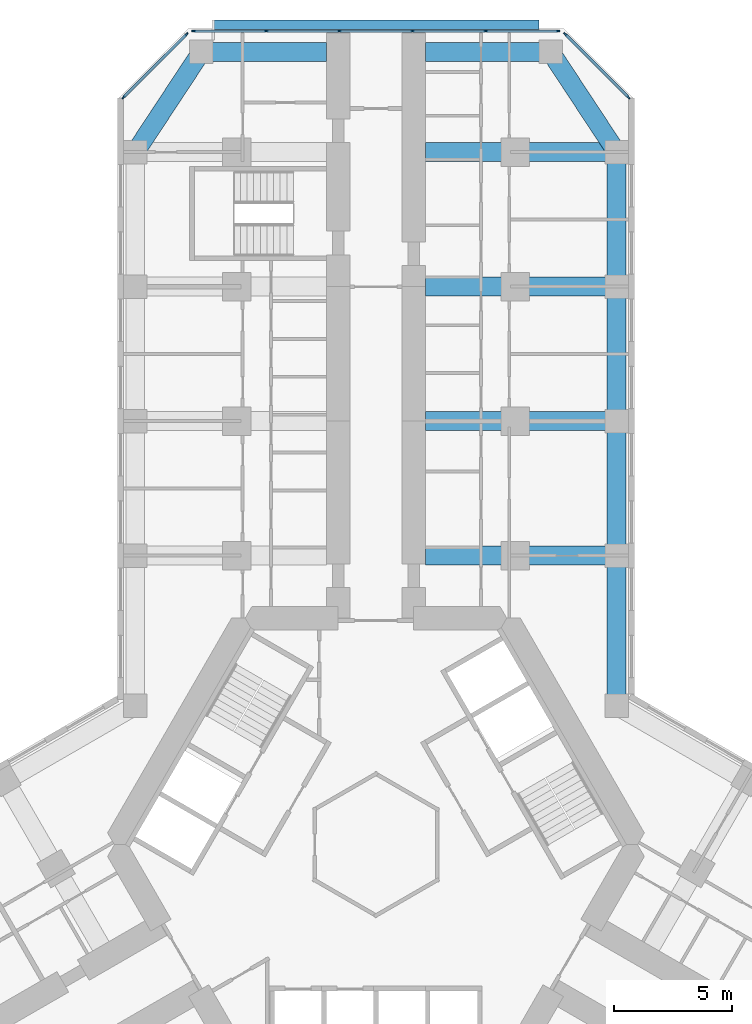
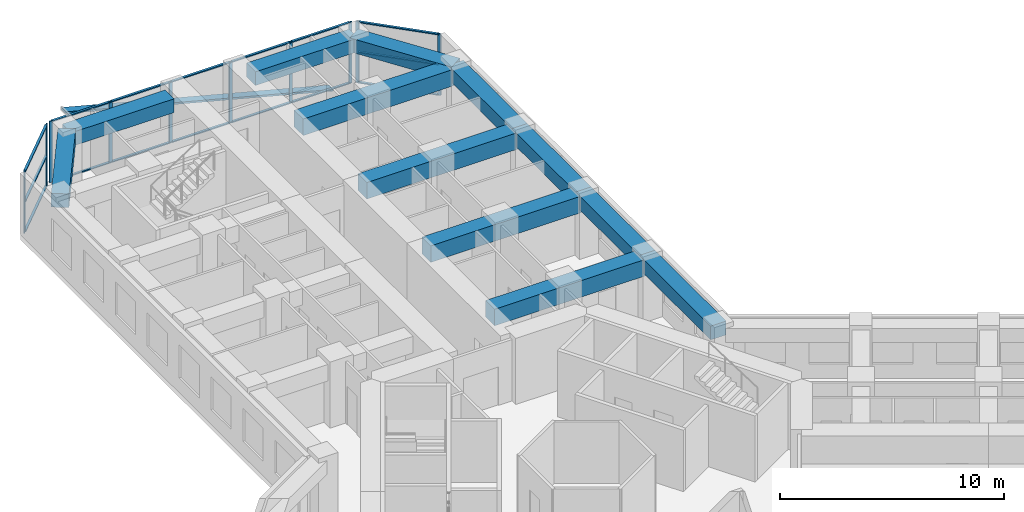
# One storey, part 7 of 21: 27 members, 12 beams, 3 elements without a shape of their own.
"""IFC4 building model written with IfcOpenShell, lengths in metres."""

from ifc_helpers import new_model, si_unit, direction, frame, origin, origin_2d, place, context, subcontext, project, spatial, rectangle, extrude, material, material_profile, profile_set, type_object, element, aggregate, save


model = new_model("IFC4")

# Units and contexts
model_context = context("Model", 3, precision=1e-05, world=origin(), true_north=direction((0.0, 1.0)))
body_context = subcontext(model_context, "Body", "Model", "MODEL_VIEW")
ifc_project = project(units=[si_unit("LENGTHUNIT", "METRE"), si_unit("AREAUNIT", "SQUARE_METRE"), si_unit("VOLUMEUNIT", "CUBIC_METRE"), si_unit("PLANEANGLEUNIT", "RADIAN"), si_unit("MASSUNIT", "GRAM", prefix="KILO")], contexts=[model_context])

# Site, building, storey
site_placement = place(None, origin())
site = spatial("IfcSite", under=ifc_project, at=site_placement, CompositionType="ELEMENT")
building_placement = place(site_placement, origin())
building = spatial("IfcBuilding", under=site, at=building_placement, Name="Kosmar Iwan School Tower", CompositionType="ELEMENT")
storey_placement = place(building_placement, frame((0.0, 0.0, 46.60009765625)))
storey = spatial("IfcBuildingStorey", under=building, at=storey_placement, Name="L10", CompositionType="ELEMENT", Elevation=46.60009765625)

# Member
ifc_material_1 = material(Name="Black anodised aluminium", Category="aluminium")
ifc_material_profile_1 = material_profile(ifc_material_1, rectangle(XDim=0.10009765625, YDim=0.39990234375, at=origin_2d()), Name="FIN 100x400")
ifc_profile_set_1 = profile_set([ifc_material_profile_1], Name="Black anodised aluminium")
member_type_1 = type_object("IfcMemberType", Name="Diagonal fin 100x400", PredefinedType="USERDEFINED", material=ifc_profile_set_1)
member_1_placement = place(storey_placement, frame((6.898193359375, 34.75, -0.150146484375), z_axis=(-0.967599450335, 0.0, 0.252490205179), x_axis=(0.252490205179, 0.0, 0.967599450335)))
element("IfcMember", 1, at=member_1_placement, inside=storey, type_object=member_type_1, Name="Diagonal fin L10-F08", ObjectType="FIN", PredefinedType="USERDEFINED", context=body_context, shape_type="SweptSolid", body=[
    extrude(rectangle(XDim=0.10009765625, YDim=0.39990234375, at=origin_2d()), origin(), (0.0, 0.0, 1.0), 14.25830078125),
])

# Curtain wall, members
ifc_material_2 = material(Name="Dark glass in black aluminium frame", Category="aluminium")
curtain_wall_type_1 = type_object("IfcCurtainWallType", Name="Chamfer curtain wall dark glass", PredefinedType="USERDEFINED", material=ifc_material_2)
curtain_wall_1_placement = place(storey_placement, origin())
curtain_wall_1 = element("IfcCurtainWall", 2, at=curtain_wall_1_placement, inside=storey, type_object=curtain_wall_type_1, Name="Curtain wall L10-F07", ObjectType="FACETED CURTAIN WALL", PredefinedType="USERDEFINED")
ifc_material_3 = material(Name="Black anodised aluminium", Category="aluminium")
ifc_material_profile_2 = material_profile(ifc_material_3, rectangle(XDim=0.06005859375, YDim=0.159912109375, at=origin_2d()), Name="MULLION 60x160")
ifc_profile_set_2 = profile_set([ifc_material_profile_2], Name="Black anodised aluminium")
member_type_2 = type_object("IfcMemberType", Name="Mullion 60x160", PredefinedType="MULLION", material=ifc_profile_set_2)
member_2_placement = place(storey_placement, frame((10.69775390625, 31.675537109375, 0.0), z_axis=(0.0, 0.0, 1.0), x_axis=(-0.707106781187, -0.707106781187, 0.0)))
member_2 = element("IfcMember", 3, at=member_2_placement, type_object=member_type_2, Name="CW2 mullion 1", PredefinedType="MULLION", context=body_context, shape_type="SweptSolid", body=[
    extrude(rectangle(XDim=0.06005859375, YDim=0.159912109375, at=origin_2d()), origin(), (0.0, 0.0, 1.0), 3.349853515625),
])
member_3_placement = place(storey_placement, frame((8.025390625, 34.34765625, 0.0), z_axis=(0.0, 0.0, 1.0), x_axis=(-0.707106781187, -0.707106781187, 0.0)))
member_3 = element("IfcMember", 4, at=member_3_placement, type_object=member_type_2, Name="CW2 mullion 2", PredefinedType="MULLION", context=body_context, shape_type="SweptSolid", body=[
    extrude(rectangle(XDim=0.06005859375, YDim=0.159912109375, at=origin_2d()), origin(), (0.0, 0.0, 1.0), 3.349853515625),
])

ifc_material_4 = material(Name="Dark glass in black aluminium frame", Category="aluminium")
curtain_wall_type_2 = type_object("IfcCurtainWallType", Name="Tower curtain wall dark glass", PredefinedType="USERDEFINED", material=ifc_material_4)
curtain_wall_2_placement = place(storey_placement, origin())
curtain_wall_2 = element("IfcCurtainWall", 5, at=curtain_wall_2_placement, inside=storey, type_object=curtain_wall_type_2, Name="Curtain wall L10-F08", ObjectType="UNITISED CURTAIN WALL", PredefinedType="USERDEFINED")
member_4_placement = place(storey_placement, frame((7.71826171875, 34.47509765625, 0.0), z_axis=(0.0, 0.0, 1.0), x_axis=(0.0, -1.0, 0.0)))
member_4 = element("IfcMember", 6, at=member_4_placement, type_object=member_type_2, Name="CW1 mullion 1", PredefinedType="MULLION", context=body_context, shape_type="SweptSolid", body=[
    extrude(rectangle(XDim=0.06005859375, YDim=0.159912109375, at=origin_2d()), origin(), (0.0, 0.0, 1.0), 3.349853515625),
])
member_5_placement = place(storey_placement, frame((4.64892578125, 34.47509765625, 0.0), z_axis=(0.0, 0.0, 1.0), x_axis=(0.0, -1.0, 0.0)))
member_5 = element("IfcMember", 7, at=member_5_placement, type_object=member_type_2, Name="CW1 mullion 2", PredefinedType="MULLION", context=body_context, shape_type="SweptSolid", body=[
    extrude(rectangle(XDim=0.06005859375, YDim=0.159912109375, at=origin_2d()), origin(), (0.0, 0.0, 1.0), 3.349853515625),
])
member_6_placement = place(storey_placement, frame((1.549560546875, 34.47509765625, 0.0), z_axis=(0.0, 0.0, 1.0), x_axis=(0.0, -1.0, 0.0)))
member_6 = element("IfcMember", 8, at=member_6_placement, type_object=member_type_2, Name="CW1 mullion 3", PredefinedType="MULLION", context=body_context, shape_type="SweptSolid", body=[
    extrude(rectangle(XDim=0.06005859375, YDim=0.159912109375, at=origin_2d()), origin(), (0.0, 0.0, 1.0), 3.349853515625),
])
member_7_placement = place(storey_placement, frame((-1.549560546875, 34.47509765625, 0.0), z_axis=(0.0, 0.0, 1.0), x_axis=(0.0, -1.0, 0.0)))
member_7 = element("IfcMember", 9, at=member_7_placement, type_object=member_type_2, Name="CW1 mullion 4", PredefinedType="MULLION", context=body_context, shape_type="SweptSolid", body=[
    extrude(rectangle(XDim=0.06005859375, YDim=0.159912109375, at=origin_2d()), origin(), (0.0, 0.0, 1.0), 3.349853515625),
])
member_8_placement = place(storey_placement, frame((-4.64892578125, 34.47509765625, 0.0), z_axis=(0.0, 0.0, 1.0), x_axis=(0.0, -1.0, 0.0)))
member_8 = element("IfcMember", 10, at=member_8_placement, type_object=member_type_2, Name="CW1 mullion 5", PredefinedType="MULLION", context=body_context, shape_type="SweptSolid", body=[
    extrude(rectangle(XDim=0.06005859375, YDim=0.159912109375, at=origin_2d()), origin(), (0.0, 0.0, 1.0), 3.349853515625),
])
member_9_placement = place(storey_placement, frame((-7.71826171875, 34.47509765625, 0.0), z_axis=(0.0, 0.0, 1.0), x_axis=(0.0, -1.0, 0.0)))
member_9 = element("IfcMember", 11, at=member_9_placement, type_object=member_type_2, Name="CW1 mullion 6", PredefinedType="MULLION", context=body_context, shape_type="SweptSolid", body=[
    extrude(rectangle(XDim=0.06005859375, YDim=0.159912109375, at=origin_2d()), origin(), (0.0, 0.0, 1.0), 3.349853515625),
])

curtain_wall_3_placement = place(storey_placement, origin())
curtain_wall_3 = element("IfcCurtainWall", 12, at=curtain_wall_3_placement, inside=storey, type_object=curtain_wall_type_1, Name="Curtain wall L10-F09", ObjectType="FACETED CURTAIN WALL", PredefinedType="USERDEFINED")
member_10_placement = place(storey_placement, frame((-8.025390625, 34.34765625, 0.0), z_axis=(0.0, 0.0, 1.0), x_axis=(0.707106781187, -0.707106781187, 0.0)))
member_10 = element("IfcMember", 13, at=member_10_placement, type_object=member_type_2, Name="CW2 mullion 1", PredefinedType="MULLION", context=body_context, shape_type="SweptSolid", body=[
    extrude(rectangle(XDim=0.06005859375, YDim=0.159912109375, at=origin_2d()), origin(), (0.0, 0.0, 1.0), 3.349853515625),
])
member_11_placement = place(storey_placement, frame((-10.69775390625, 31.675537109375, 0.0), z_axis=(0.0, 0.0, 1.0), x_axis=(0.707106781187, -0.707106781187, 0.0)))
member_11 = element("IfcMember", 14, at=member_11_placement, type_object=member_type_2, Name="CW2 mullion 2", PredefinedType="MULLION", context=body_context, shape_type="SweptSolid", body=[
    extrude(rectangle(XDim=0.06005859375, YDim=0.159912109375, at=origin_2d()), origin(), (0.0, 0.0, 1.0), 3.349853515625),
])

# Beams
ifc_material_5 = material(Name="Concrete C50/60", Category="concrete")
ifc_material_profile_3 = material_profile(ifc_material_5, rectangle(XDim=0.800048828125, YDim=0.75, at=origin_2d()), Name="RC 800x750")
ifc_profile_set_3 = profile_set([ifc_material_profile_3], Name="Concrete C50/60")
beam_type_1 = type_object("IfcBeamType", Name="RC edge beam 800x750", PredefinedType="BEAM", material=ifc_profile_set_3)
beam_1_placement = place(storey_placement, frame((10.199951171875, 5.888916015625, 2.974853515625), z_axis=(0.0, 1.0, 0.0), x_axis=(-1.0, 0.0, 0.0)))
element("IfcBeam", 15, at=beam_1_placement, inside=storey, type_object=beam_type_1, Name="Edge beam AR1", PredefinedType="BEAM", context=body_context, shape_type="SweptSolid", body=[
    extrude(rectangle(XDim=0.800048828125, YDim=0.75, at=origin_2d()), origin(), (0.0, 0.0, 1.0), 6.361083984375),
])
for number, where, z_axis, x_axis, name in (
    (16, (10.199951171875, 12.25, 2.974853515625), (0.0, 1.0, 0.0), (-1.0, 0.0, 0.0), "Edge beam AR2"),
    (17, (10.199951171875, 17.949951171875, 2.974853515625), (0.0, 1.0, 0.0), (-1.0, 0.0, 0.0), "Edge beam AR3"),
):
    element("IfcBeam", number, at=place(storey_placement, frame(where, z_axis=z_axis, x_axis=x_axis)), inside=storey, type_object=beam_type_1, Name=name, PredefinedType="BEAM", context=body_context, shape_type="SweptSolid", body=[
        extrude(rectangle(XDim=0.800048828125, YDim=0.75, at=origin_2d()), origin(), (0.0, 0.0, 1.0), 5.699951171875),
    ])
beam_2_placement = place(storey_placement, frame((10.199951171875, 23.64990234375, 2.974853515625), z_axis=(0.0, 1.0, 0.0), x_axis=(-1.0, 0.0, 0.0)))
element("IfcBeam", 18, at=beam_2_placement, inside=storey, type_object=beam_type_1, Name="Edge beam AR4", PredefinedType="BEAM", context=body_context, shape_type="SweptSolid", body=[
    extrude(rectangle(XDim=0.800048828125, YDim=0.75, at=origin_2d()), origin(), (0.0, 0.0, 1.0), 5.7001953125),
])
ifc_material_6 = material(Name="Concrete C50/60", Category="concrete")
ifc_material_profile_4 = material_profile(ifc_material_6, rectangle(XDim=0.800048828125, YDim=0.75, at=origin_2d()), Name="RC 800x750")
ifc_profile_set_4 = profile_set([ifc_material_profile_4], Name="Concrete C50/60")
beam_type_2 = type_object("IfcBeamType", Name="RC tip beam 800x750", PredefinedType="BEAM", material=ifc_profile_set_4)
beam_3_placement = place(storey_placement, frame((-10.199951171875, 29.35009765625, 2.974853515625), z_axis=(0.550164383043, 0.835056376319, 0.0), x_axis=(-0.835056376319, 0.550164383043, 0.0)))
element("IfcBeam", 19, at=beam_3_placement, inside=storey, type_object=beam_type_2, Name="Tip beam AL", PredefinedType="BEAM", context=body_context, shape_type="SweptSolid", body=[
    extrude(rectangle(XDim=0.800048828125, YDim=0.75, at=origin_2d()), origin(), (0.0, 0.0, 1.0), 5.08935546875),
])
beam_4_placement = place(storey_placement, frame((-7.39990234375, 33.60009765625, 2.974853515625), z_axis=(1.0, 0.0, 0.0), x_axis=(0.0, 1.0, 0.0)))
element("IfcBeam", 20, at=beam_4_placement, inside=storey, type_object=beam_type_2, Name="Tip beam AL to corridor wall", PredefinedType="BEAM", context=body_context, shape_type="SweptSolid", body=[
    extrude(rectangle(XDim=0.800048828125, YDim=0.75, at=origin_2d()), origin(), (0.0, 0.0, 1.0), 5.2998046875),
])
beam_5_placement = place(storey_placement, frame((10.199951171875, 29.35009765625, 2.974853515625), z_axis=(-0.550164383043, 0.835056376319, 0.0), x_axis=(-0.835056376319, -0.550164383043, 0.0)))
element("IfcBeam", 21, at=beam_5_placement, inside=storey, type_object=beam_type_2, Name="Tip beam AR", PredefinedType="BEAM", context=body_context, shape_type="SweptSolid", body=[
    extrude(rectangle(XDim=0.800048828125, YDim=0.75, at=origin_2d()), origin(), (0.0, 0.0, 1.0), 5.08935546875),
])
beam_6_placement = place(storey_placement, frame((7.39990234375, 33.60009765625, 2.974853515625), z_axis=(-1.0, 0.0, 0.0), x_axis=(0.0, -1.0, 0.0)))
element("IfcBeam", 22, at=beam_6_placement, inside=storey, type_object=beam_type_2, Name="Tip beam AR to corridor wall", PredefinedType="BEAM", context=body_context, shape_type="SweptSolid", body=[
    extrude(rectangle(XDim=0.800048828125, YDim=0.75, at=origin_2d()), origin(), (0.0, 0.0, 1.0), 5.2998046875),
])
ifc_material_7 = material(Name="Concrete C50/60", Category="concrete")
ifc_material_profile_5 = material_profile(ifc_material_7, rectangle(XDim=0.800048828125, YDim=0.89990234375, at=origin_2d()), Name="RC 800x900")
ifc_profile_set_5 = profile_set([ifc_material_profile_5], Name="Concrete C50/60")
beam_type_3 = type_object("IfcBeamType", Name="RC transverse beam 800x900", PredefinedType="BEAM", material=ifc_profile_set_5)
for number, where, z_axis, x_axis, name in (
    (23, (10.199951171875, 12.25, 2.89990234375), (-1.0, 0.0, 0.0), (0.0, -1.0, 0.0), "Transverse beam AR1"),
    (24, (10.199951171875, 17.949951171875, 2.89990234375), (-1.0, 0.0, 0.0), (0.0, -1.0, 0.0), "Transverse beam AR2"),
    (25, (10.199951171875, 23.64990234375, 2.89990234375), (-1.0, 0.0, 0.0), (0.0, -1.0, 0.0), "Transverse beam AR3"),
    (26, (10.199951171875, 29.35009765625, 2.89990234375), (-1.0, 0.0, 0.0), (0.0, -1.0, 0.0), "Transverse beam AR4"),
):
    element("IfcBeam", number, at=place(storey_placement, frame(where, z_axis=z_axis, x_axis=x_axis)), inside=storey, type_object=beam_type_3, Name=name, PredefinedType="BEAM", context=body_context, shape_type="SweptSolid", body=[
        extrude(rectangle(XDim=0.800048828125, YDim=0.89990234375, at=origin_2d()), origin(), (0.0, 0.0, 1.0), 8.099853515625),
    ])

# Member
ifc_material_8 = material(Name="Black anodised aluminium", Category="aluminium")
ifc_material_profile_6 = material_profile(ifc_material_8, rectangle(XDim=0.1201171875, YDim=0.06005859375, at=origin_2d()), Name="TRANSOM 60x120")
ifc_profile_set_6 = profile_set([ifc_material_profile_6], Name="Black anodised aluminium")
member_type_3 = type_object("IfcMemberType", Name="Transom 60x120", PredefinedType="USERDEFINED", material=ifc_profile_set_6)
member_12_placement = place(storey_placement, frame((10.676513671875, 31.69677734375, 0.02978515625), z_axis=(-0.707139603466, 0.707073957383, 0.0), x_axis=(-0.707073957383, -0.707139603466, 0.0)))
member_12 = element("IfcMember", 27, at=member_12_placement, type_object=member_type_3, Name="CW2 transom 1.1", ObjectType="TRANSOM", PredefinedType="USERDEFINED", context=body_context, shape_type="SweptSolid", body=[
    extrude(rectangle(XDim=0.1201171875, YDim=0.06005859375, at=origin_2d()), origin(), (0.0, 0.0, 1.0), 3.718994140625),
])

member_13_placement = place(storey_placement, frame((10.676513671875, 31.69677734375, 1.6748046875), z_axis=(-0.707139603466, 0.707073957383, 0.0), x_axis=(-0.707073957383, -0.707139603466, 0.0)))
member_13 = element("IfcMember", 28, at=member_13_placement, type_object=member_type_3, Name="CW2 transom 1.2", ObjectType="TRANSOM", PredefinedType="USERDEFINED", context=body_context, shape_type="SweptSolid", body=[
    extrude(rectangle(XDim=0.1201171875, YDim=0.06005859375, at=origin_2d()), origin(), (0.0, 0.0, 1.0), 3.718994140625),
])

member_14_placement = place(storey_placement, frame((10.676513671875, 31.69677734375, 3.31982421875), z_axis=(-0.707139603466, 0.707073957383, 0.0), x_axis=(-0.707073957383, -0.707139603466, 0.0)))
member_14 = element("IfcMember", 29, at=member_14_placement, type_object=member_type_3, Name="CW2 transom 1.3", ObjectType="TRANSOM", PredefinedType="USERDEFINED", context=body_context, shape_type="SweptSolid", body=[
    extrude(rectangle(XDim=0.1201171875, YDim=0.06005859375, at=origin_2d()), origin(), (0.0, 0.0, 1.0), 3.718994140625),
])

aggregate(curtain_wall_1, [member_2, member_3, member_12, member_13, member_14])

member_15_placement = place(storey_placement, frame((7.688232421875, 34.47509765625, 0.02978515625), z_axis=(-1.0, 0.0, 0.0), x_axis=(0.0, -1.0, 0.0)))
member_15 = element("IfcMember", 30, at=member_15_placement, type_object=member_type_3, Name="CW1 transom 1.1", ObjectType="TRANSOM", PredefinedType="USERDEFINED", context=body_context, shape_type="SweptSolid", body=[
    extrude(rectangle(XDim=0.1201171875, YDim=0.06005859375, at=origin_2d()), origin(), (0.0, 0.0, 1.0), 3.00927734375),
])

member_16_placement = place(storey_placement, frame((7.688232421875, 34.47509765625, 3.31982421875), z_axis=(-1.0, 0.0, 0.0), x_axis=(0.0, -1.0, 0.0)))
member_16 = element("IfcMember", 31, at=member_16_placement, type_object=member_type_3, Name="CW1 transom 1.2", ObjectType="TRANSOM", PredefinedType="USERDEFINED", context=body_context, shape_type="SweptSolid", body=[
    extrude(rectangle(XDim=0.1201171875, YDim=0.06005859375, at=origin_2d()), origin(), (0.0, 0.0, 1.0), 3.00927734375),
])

member_17_placement = place(storey_placement, frame((4.618896484375, 34.47509765625, 0.02978515625), z_axis=(-1.0, 0.0, 0.0), x_axis=(0.0, -1.0, 0.0)))
member_17 = element("IfcMember", 32, at=member_17_placement, type_object=member_type_3, Name="CW1 transom 2.1", ObjectType="TRANSOM", PredefinedType="USERDEFINED", context=body_context, shape_type="SweptSolid", body=[
    extrude(rectangle(XDim=0.1201171875, YDim=0.06005859375, at=origin_2d()), origin(), (0.0, 0.0, 1.0), 3.039306640625),
])

member_18_placement = place(storey_placement, frame((4.618896484375, 34.47509765625, 3.31982421875), z_axis=(-1.0, 0.0, 0.0), x_axis=(0.0, -1.0, 0.0)))
member_18 = element("IfcMember", 33, at=member_18_placement, type_object=member_type_3, Name="CW1 transom 2.2", ObjectType="TRANSOM", PredefinedType="USERDEFINED", context=body_context, shape_type="SweptSolid", body=[
    extrude(rectangle(XDim=0.1201171875, YDim=0.06005859375, at=origin_2d()), origin(), (0.0, 0.0, 1.0), 3.039306640625),
])

member_19_placement = place(storey_placement, frame((1.51953125, 34.47509765625, 0.02978515625), z_axis=(-1.0, 0.0, 0.0), x_axis=(0.0, -1.0, 0.0)))
member_19 = element("IfcMember", 34, at=member_19_placement, type_object=member_type_3, Name="CW1 transom 3.1", ObjectType="TRANSOM", PredefinedType="USERDEFINED", context=body_context, shape_type="SweptSolid", body=[
    extrude(rectangle(XDim=0.1201171875, YDim=0.06005859375, at=origin_2d()), origin(), (0.0, 0.0, 1.0), 3.0390625),
])

member_20_placement = place(storey_placement, frame((1.51953125, 34.47509765625, 3.31982421875), z_axis=(-1.0, 0.0, 0.0), x_axis=(0.0, -1.0, 0.0)))
member_20 = element("IfcMember", 35, at=member_20_placement, type_object=member_type_3, Name="CW1 transom 3.2", ObjectType="TRANSOM", PredefinedType="USERDEFINED", context=body_context, shape_type="SweptSolid", body=[
    extrude(rectangle(XDim=0.1201171875, YDim=0.06005859375, at=origin_2d()), origin(), (0.0, 0.0, 1.0), 3.0390625),
])

member_21_placement = place(storey_placement, frame((-1.57958984375, 34.47509765625, 0.02978515625), z_axis=(-1.0, 0.0, 0.0), x_axis=(0.0, -1.0, 0.0)))
member_21 = element("IfcMember", 36, at=member_21_placement, type_object=member_type_3, Name="CW1 transom 4.1", ObjectType="TRANSOM", PredefinedType="USERDEFINED", context=body_context, shape_type="SweptSolid", body=[
    extrude(rectangle(XDim=0.1201171875, YDim=0.06005859375, at=origin_2d()), origin(), (0.0, 0.0, 1.0), 3.039306640625),
])

member_22_placement = place(storey_placement, frame((-1.57958984375, 34.47509765625, 3.31982421875), z_axis=(-1.0, 0.0, 0.0), x_axis=(0.0, -1.0, 0.0)))
member_22 = element("IfcMember", 37, at=member_22_placement, type_object=member_type_3, Name="CW1 transom 4.2", ObjectType="TRANSOM", PredefinedType="USERDEFINED", context=body_context, shape_type="SweptSolid", body=[
    extrude(rectangle(XDim=0.1201171875, YDim=0.06005859375, at=origin_2d()), origin(), (0.0, 0.0, 1.0), 3.039306640625),
])

member_23_placement = place(storey_placement, frame((-4.678955078125, 34.47509765625, 0.02978515625), z_axis=(-1.0, 0.0, 0.0), x_axis=(0.0, -1.0, 0.0)))
member_23 = element("IfcMember", 38, at=member_23_placement, type_object=member_type_3, Name="CW1 transom 5.1", ObjectType="TRANSOM", PredefinedType="USERDEFINED", context=body_context, shape_type="SweptSolid", body=[
    extrude(rectangle(XDim=0.1201171875, YDim=0.06005859375, at=origin_2d()), origin(), (0.0, 0.0, 1.0), 3.00927734375),
])

member_24_placement = place(storey_placement, frame((-4.678955078125, 34.47509765625, 3.31982421875), z_axis=(-1.0, 0.0, 0.0), x_axis=(0.0, -1.0, 0.0)))
member_24 = element("IfcMember", 39, at=member_24_placement, type_object=member_type_3, Name="CW1 transom 5.2", ObjectType="TRANSOM", PredefinedType="USERDEFINED", context=body_context, shape_type="SweptSolid", body=[
    extrude(rectangle(XDim=0.1201171875, YDim=0.06005859375, at=origin_2d()), origin(), (0.0, 0.0, 1.0), 3.00927734375),
])

aggregate(curtain_wall_2, [member_4, member_5, member_6, member_7, member_8, member_9, member_15, member_16, member_17, member_18, member_19, member_20, member_21, member_22, member_23, member_24])

member_25_placement = place(storey_placement, frame((-8.046630859375, 34.326416015625, 0.02978515625), z_axis=(-0.707139603466, -0.707073957383, 0.0), x_axis=(0.707073957383, -0.707139603466, 0.0)))
member_25 = element("IfcMember", 40, at=member_25_placement, type_object=member_type_3, Name="CW2 transom 1.1", ObjectType="TRANSOM", PredefinedType="USERDEFINED", context=body_context, shape_type="SweptSolid", body=[
    extrude(rectangle(XDim=0.1201171875, YDim=0.06005859375, at=origin_2d()), origin(), (0.0, 0.0, 1.0), 3.718994140625),
])

member_26_placement = place(storey_placement, frame((-8.046630859375, 34.326416015625, 1.6748046875), z_axis=(-0.707139603466, -0.707073957383, 0.0), x_axis=(0.707073957383, -0.707139603466, 0.0)))
member_26 = element("IfcMember", 41, at=member_26_placement, type_object=member_type_3, Name="CW2 transom 1.2", ObjectType="TRANSOM", PredefinedType="USERDEFINED", context=body_context, shape_type="SweptSolid", body=[
    extrude(rectangle(XDim=0.1201171875, YDim=0.06005859375, at=origin_2d()), origin(), (0.0, 0.0, 1.0), 3.718994140625),
])

member_27_placement = place(storey_placement, frame((-8.046630859375, 34.326416015625, 3.31982421875), z_axis=(-0.707139603466, -0.707073957383, 0.0), x_axis=(0.707073957383, -0.707139603466, 0.0)))
member_27 = element("IfcMember", 42, at=member_27_placement, type_object=member_type_3, Name="CW2 transom 1.3", ObjectType="TRANSOM", PredefinedType="USERDEFINED", context=body_context, shape_type="SweptSolid", body=[
    extrude(rectangle(XDim=0.1201171875, YDim=0.06005859375, at=origin_2d()), origin(), (0.0, 0.0, 1.0), 3.718994140625),
])

aggregate(curtain_wall_3, [member_10, member_11, member_25, member_26, member_27])

save(model, "model.ifc")
